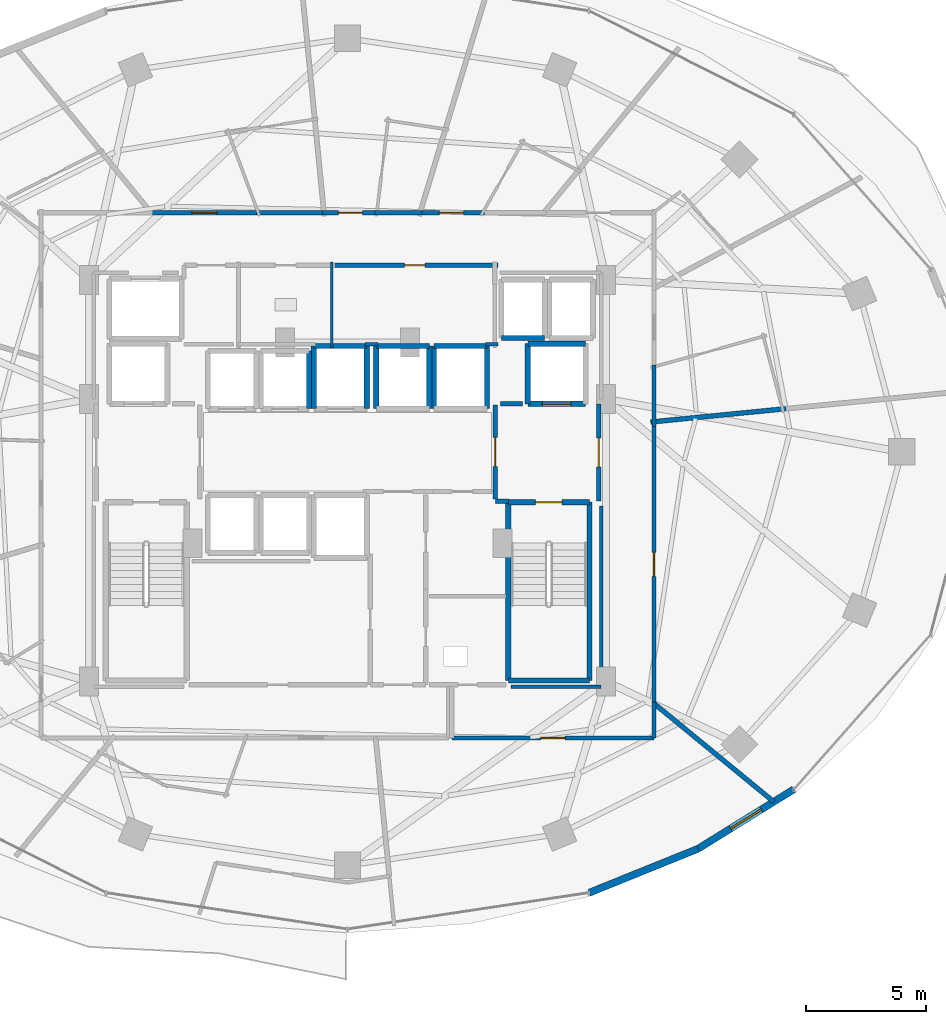
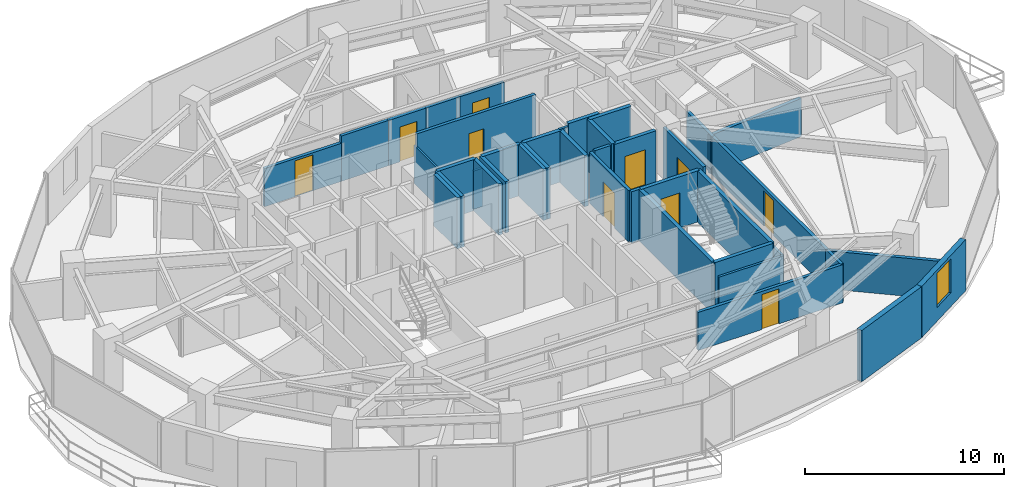
# One storey, part 24 of 29: 41 walls, 10 doors, 1 window, 11 openings.
"""IFC4 building model written with IfcOpenShell, lengths in metres."""

from ifc_helpers import new_model, si_unit, direction, frame, frame_2d, origin, place, context, subcontext, project, spatial, rectangle, extrude, material, layer, layer_set, type_object, element, fill, save


model = new_model("IFC4")

# Units and contexts
model_context = context("Model", 3, precision=1e-05, world=origin(), true_north=direction((0.0, 1.0)))
body_context = subcontext(model_context, "Body", "Model", "MODEL_VIEW")
ifc_project = project(units=[si_unit("LENGTHUNIT", "METRE"), si_unit("AREAUNIT", "SQUARE_METRE"), si_unit("VOLUMEUNIT", "CUBIC_METRE"), si_unit("PLANEANGLEUNIT", "RADIAN"), si_unit("MASSUNIT", "GRAM", prefix="KILO")], contexts=[model_context])

# Site, building, storey
site_placement = place(None, origin())
site = spatial("IfcSite", under=ifc_project, at=site_placement, CompositionType="ELEMENT")
building_placement = place(site_placement, origin())
building = spatial("IfcBuilding", under=site, at=building_placement, Name="Vorneva Point Tower", CompositionType="ELEMENT")
storey_placement = place(building_placement, frame((0.0, 0.0, 120.800048828125)))
storey = spatial("IfcBuildingStorey", under=building, at=storey_placement, Name="L32", CompositionType="ELEMENT", Elevation=120.800048828125)

# Wall, opening, door
ifc_material_1 = material(Name="Concrete B60 (C50/60)", Category="concrete")
ifc_layer_1 = layer(ifc_material_1, 0.5)
ifc_layer_set_1 = layer_set([ifc_layer_1], Name="Concrete B60 (C50/60)")
wall_type_1 = type_object("IfcWallType", Name="WL-CORE-500", PredefinedType="SHEAR", material=ifc_layer_set_1)
wall_1_placement = place(storey_placement, frame((45.5, 28.0, 0.0), z_axis=(0.0, 0.0, 1.0), x_axis=(1.0, 0.0, 0.0)))
wall_1 = element("IfcWall", 1, at=wall_1_placement, inside=storey, type_object=wall_type_1, Name="L32 Lift FFL2 Shaft Wall -Y", PredefinedType="SHEAR", context=body_context, shape_type="SweptSolid", body=[
    extrude(rectangle(XDim=2.39990234375, YDim=0.219970703125, at=frame_2d((1.199951171875, 0.0))), origin(), (0.0, 0.0, 1.0), 3.14990234375),
])
opening_1_placement = place(wall_1_placement, frame((0.60009765625, 0.0, 0.0)))
opening_1 = element("IfcOpeningElement", 2, at=opening_1_placement, cuts=wall_1, Name="Opening LD-02", PredefinedType="OPENING", context=body_context, shape_type="SweptSolid", body=[
    extrude(rectangle(XDim=1.199951171875, YDim=2.199951171875, at=frame_2d((0.60009765625, 1.10009765625))), frame((0.0, 0.125, 0.0), z_axis=(0.0, -1.0, 0.0), x_axis=(1.0, 0.0, 0.0)), (0.0, 0.0, 1.0), 0.249755859375),
])
ifc_material_2 = material(Name="Brushed stainless steel S304", Category="steel")
door_type_1 = type_object("IfcDoorType", Name="LD-FIRE-1200", OperationType="SLIDING_TO_LEFT", PredefinedType="DOOR", material=ifc_material_2)
door_1_placement = place(opening_1_placement, origin())
door_1 = element("IfcDoor", 3, at=door_1_placement, inside=storey, type_object=door_type_1, Name="L32 Lift FFL2 Sliding Landing Door", OperationType="SLIDING_TO_LEFT", OverallHeight=2.199951171875, OverallWidth=1.199951171875, PredefinedType="DOOR", context=body_context, shape_type="SweptSolid", body=[
    extrude(rectangle(XDim=1.199951171875, YDim=2.199951171875, at=frame_2d((0.60009765625, 1.10009765625))), frame((0.0, 0.02490234375, 0.0), z_axis=(0.0, -1.0, 0.0), x_axis=(1.0, 0.0, 0.0)), (0.0, 0.0, 1.0), 0.050048828125),
])
fill(opening_1, door_1)

# Walls
wall_2_placement = place(storey_placement, frame((47.89990234375, 30.5, 0.0), z_axis=(0.0, 0.0, 1.0), x_axis=(-1.0, 0.0, 0.0)))
element("IfcWall", 4, at=wall_2_placement, inside=storey, type_object=wall_type_1, Name="L32 Lift FFL2 Shaft Wall +Y", PredefinedType="SHEAR", context=body_context, shape_type="SweptSolid", body=[
    extrude(rectangle(XDim=2.39990234375, YDim=0.219970703125, at=frame_2d((1.199951171875, 0.0))), origin(), (0.0, 0.0, 1.0), 3.14990234375),
])
wall_3_placement = place(storey_placement, frame((45.5, 30.5, 0.0), z_axis=(0.0, 0.0, 1.0), x_axis=(0.0, -1.0, 0.0)))
element("IfcWall", 5, at=wall_3_placement, inside=storey, type_object=wall_type_1, Name="L32 Lift FFL2 Shaft Wall -X", PredefinedType="SHEAR", context=body_context, shape_type="SweptSolid", body=[
    extrude(rectangle(XDim=2.5, YDim=0.219970703125, at=frame_2d((1.25, 0.0))), origin(), (0.0, 0.0, 1.0), 3.14990234375),
])
ifc_material_3 = material(Name="Precast concrete B50 (C40/50)", Category="concrete")
ifc_layer_2 = layer(ifc_material_3, 0.300048828125)
ifc_layer_set_2 = layer_set([ifc_layer_2], Name="Precast concrete B50 (C40/50)")
wall_type_2 = type_object("IfcWallType", Name="WL-EXT-300", PredefinedType="STANDARD", material=ifc_layer_set_2)
wall_4_placement = place(storey_placement, frame((48.04541015625, 7.660888671875, 0.0), z_axis=(0.0, 0.0, 1.0), x_axis=(0.927122233109, 0.374759075775, 0.0)))
element("IfcWall", 6, at=wall_4_placement, inside=storey, type_object=wall_type_2, Name="L32 Pale-Metal Facade Spandrel Wall 14.1", PredefinedType="STANDARD", context=body_context, shape_type="SweptSolid", body=[
    extrude(rectangle(XDim=4.89501953125, YDim=0.300048828125, at=frame_2d((2.447509765625, 0.0))), origin(), (0.0, 0.0, 1.0), 3.14990234375),
])

# Wall, opening, window
wall_5_placement = place(storey_placement, frame((52.583740234375, 9.495361328125, 0.0), z_axis=(0.0, 0.0, 1.0), x_axis=(0.849684479743, 0.527291461038, 0.0)))
wall_5 = element("IfcWall", 7, at=wall_5_placement, inside=storey, type_object=wall_type_2, Name="L32 Pale-Metal Facade Spandrel Wall 14.2", PredefinedType="STANDARD", context=body_context, shape_type="SweptSolid", body=[
    extrude(rectangle(XDim=4.681396484375, YDim=0.300048828125, at=frame_2d((2.3408203125, 0.0))), origin(), (0.0, 0.0, 1.0), 3.14990234375),
])
opening_2_placement = place(wall_5_placement, frame((1.5908203125, 0.0, 0.85009765625)))
opening_2 = element("IfcOpeningElement", 8, at=opening_2_placement, cuts=wall_5, Name="Opening W-02", PredefinedType="OPENING", context=body_context, shape_type="SweptSolid", body=[
    extrude(rectangle(XDim=1.5, YDim=2.10009765625, at=frame_2d((0.75, 1.050048828125))), frame((0.0, 0.1650390625, 0.0), z_axis=(0.0, -1.0, 0.0), x_axis=(1.0, 0.0, 0.0)), (0.0, 0.0, 1.0), 0.329833984375),
])
ifc_material_4 = material(Name="Double low-e laminated glass IGU", Category="glass")
window_type = type_object("IfcWindowType", Name="WN-HTL-1500", PartitioningType="SINGLE_PANEL", PredefinedType="WINDOW", material=ifc_material_4)
window_placement = place(opening_2_placement, origin())
window = element("IfcWindow", 9, at=window_placement, inside=storey, type_object=window_type, Name="L32 Facade Window 14", OverallHeight=2.10009765625, OverallWidth=1.5, PartitioningType="SINGLE_PANEL", PredefinedType="WINDOW", context=body_context, shape_type="SweptSolid", body=[
    extrude(rectangle(XDim=1.5, YDim=2.10009765625, at=frame_2d((0.75, 1.050048828125))), frame((0.0, 0.030029296875, 0.0), z_axis=(0.0, -1.0, 0.0), x_axis=(1.0, 0.0, 0.0)), (0.0, 0.0, 1.0), 0.06005859375),
])
fill(opening_2, window)

# Walls
ifc_material_5 = material(Name="Fire-rated acoustic gypsum stud partition", Category="gypsum")
ifc_layer_3 = layer(ifc_material_5, 0.110107421875)
ifc_layer_set_3 = layer_set([ifc_layer_3], Name="Fire-rated acoustic gypsum stud partition")
wall_type_3 = type_object("IfcWallType", Name="WL-PART-110", PredefinedType="PARTITIONING", material=ifc_layer_set_3)
wall_6_placement = place(storey_placement, frame((37.35009765625, 30.340087890625, 0.0), z_axis=(0.0, 0.0, 1.0), x_axis=(0.0, 1.0, 0.0)))
element("IfcWall", 10, at=wall_6_placement, inside=storey, type_object=wall_type_3, Name="L32 Interior Partition 017", PredefinedType="PARTITIONING", context=body_context, shape_type="SweptSolid", body=[
    extrude(rectangle(XDim=3.559814453125, YDim=0.110107421875, at=frame_2d((1.77978515625, 0.0))), origin(), (0.0, 0.0, 1.0), 2.342041015625),
])
ifc_layer_4 = layer(ifc_material_5, 0.139892578125)
ifc_layer_set_4 = layer_set([ifc_layer_4], Name="Fire-rated acoustic gypsum stud partition")
wall_type_4 = type_object("IfcWallType", Name="WL-PART-140", PredefinedType="PARTITIONING", material=ifc_layer_set_4)
wall_7_placement = place(storey_placement, frame((38.735107421875, 30.47998046875, 0.0), z_axis=(0.0, 0.0, 1.0), x_axis=(1.0, 0.0, 0.0)))
element("IfcWall", 11, at=wall_7_placement, inside=storey, type_object=wall_type_4, Name="L32 Interior Closure Partition 092", PredefinedType="PARTITIONING", context=body_context, shape_type="SweptSolid", body=[
    extrude(rectangle(XDim=0.52978515625, YDim=0.139892578125, at=frame_2d((0.264892578125, 0.0))), origin(), (0.0, 0.0, 1.0), 2.342041015625),
])
wall_8_placement = place(storey_placement, frame((43.735107421875, 30.47998046875, 0.0), z_axis=(0.0, 0.0, 1.0), x_axis=(1.0, 0.0, 0.0)))
element("IfcWall", 12, at=wall_8_placement, inside=storey, type_object=wall_type_4, Name="L32 Interior Closure Partition 093", PredefinedType="PARTITIONING", context=body_context, shape_type="SweptSolid", body=[
    extrude(rectangle(XDim=0.52490234375, YDim=0.139892578125, at=frame_2d((0.262451171875, 0.0))), origin(), (0.0, 0.0, 1.0), 3.14990234375),
])
wall_9_placement = place(storey_placement, frame((48.550048828125, 23.75390625, 0.0), z_axis=(0.0, 0.0, 1.0), x_axis=(0.0, -1.0, 0.0)))
element("IfcWall", 13, at=wall_9_placement, inside=storey, type_object=wall_type_4, Name="L32 Interior Closure Partition 098", PredefinedType="PARTITIONING", context=body_context, shape_type="SweptSolid", body=[
    extrude(rectangle(XDim=7.513916015625, YDim=0.139892578125, at=frame_2d((3.7568359375, 0.0))), origin(), (0.0, 0.0, 1.0), 2.342041015625),
])
wall_10_placement = place(storey_placement, frame((48.550048828125, 16.239990234375, 0.0), z_axis=(0.0, 0.0, 1.0), x_axis=(-1.0, 0.0, 0.0)))
element("IfcWall", 14, at=wall_10_placement, inside=storey, type_object=wall_type_4, Name="L32 Interior Closure Partition 099", PredefinedType="PARTITIONING", context=body_context, shape_type="SweptSolid", body=[
    extrude(rectangle(XDim=3.7451171875, YDim=0.139892578125, at=frame_2d((1.87255859375, 0.0))), origin(), (0.0, 0.0, 1.0), 2.342041015625),
])

# Wall, opening, door
ifc_material_6 = material(Name="Autoclaved aerated concrete blockwork", Category="masonry")
ifc_layer_5 = layer(ifc_material_6, 0.179931640625)
ifc_layer_set_5 = layer_set([ifc_layer_5], Name="Autoclaved aerated concrete blockwork")
wall_type_5 = type_object("IfcWallType", Name="WL-PART-180", PredefinedType="PARTITIONING", material=ifc_layer_set_5)
wall_11_placement = place(storey_placement, frame((44.14990234375, 27.955078125, 0.0), z_axis=(0.0, 0.0, 1.0), x_axis=(0.0, -1.0, 0.0)))
wall_11 = element("IfcWall", 15, at=wall_11_placement, inside=storey, type_object=wall_type_5, Name="L32 Interior Partition 003", PredefinedType="PARTITIONING", context=body_context, shape_type="SweptSolid", body=[
    extrude(rectangle(XDim=3.91015625, YDim=0.179931640625, at=frame_2d((1.955078125, 0.0))), origin(), (0.0, 0.0, 1.0), 3.14990234375),
])
opening_3_placement = place(wall_11_placement, frame((1.35498046875, 0.0, 0.0)))
opening_3 = element("IfcOpeningElement", 16, at=opening_3_placement, cuts=wall_11, Name="Opening FD-02", PredefinedType="OPENING", context=body_context, shape_type="SweptSolid", body=[
    extrude(rectangle(XDim=1.199951171875, YDim=2.14990234375, at=frame_2d((0.60009765625, 1.074951171875))), frame((0.0, 0.10498046875, 0.0), z_axis=(0.0, -1.0, 0.0), x_axis=(1.0, 0.0, 0.0)), (0.0, 0.0, 1.0), 0.209716796875),
])
ifc_material_7 = material(Name="Fire-rated powder-coated steel", Category="steel")
door_type_2 = type_object("IfcDoorType", Name="DR-FFL-1200", OperationType="NOTDEFINED", PredefinedType="DOOR", material=ifc_material_7)
door_2_placement = place(opening_3_placement, origin())
door_2 = element("IfcDoor", 17, at=door_2_placement, inside=storey, type_object=door_type_2, Name="L32 Door East Firefighting Lobby / Central Lift Lobby", OperationType="SINGLE_SWING_LEFT", OverallHeight=2.14990234375, OverallWidth=1.199951171875, PredefinedType="DOOR", context=body_context, shape_type="SweptSolid", body=[
    extrude(rectangle(XDim=1.199951171875, YDim=2.14990234375, at=frame_2d((0.60009765625, 1.074951171875))), frame((0.0, 0.02490234375, 0.0), z_axis=(0.0, -1.0, 0.0), x_axis=(1.0, 0.0, 0.0)), (0.0, 0.0, 1.0), 0.050048828125),
])
fill(opening_3, door_2)

# Wall
wall_12_placement = place(storey_placement, frame((44.14990234375, 23.949951171875, 0.0), z_axis=(0.0, 0.0, 1.0), x_axis=(1.0, 0.0, 0.0)))
element("IfcWall", 18, at=wall_12_placement, inside=storey, type_object=wall_type_5, Name="L32 Interior Partition 004", PredefinedType="PARTITIONING", context=body_context, shape_type="SweptSolid", body=[
    extrude(rectangle(XDim=0.5400390625, YDim=0.179931640625, at=frame_2d((0.27001953125, 0.0))), origin(), (0.0, 0.0, 1.0), 3.14990234375),
])

# Wall, opening, door
wall_13_placement = place(storey_placement, frame((48.449951171875, 23.949951171875, 0.0), z_axis=(0.0, 0.0, 1.0), x_axis=(0.0, 1.0, 0.0)))
wall_13 = element("IfcWall", 19, at=wall_13_placement, inside=storey, type_object=wall_type_5, Name="L32 Interior Partition 005", PredefinedType="PARTITIONING", context=body_context, shape_type="SweptSolid", body=[
    extrude(rectangle(XDim=4.050048828125, YDim=0.179931640625, at=frame_2d((2.02490234375, 0.0))), origin(), (0.0, 0.0, 1.0), 3.14990234375),
])
opening_4_placement = place(wall_13_placement, frame((1.425048828125, 0.0, 0.0)))
opening_4 = element("IfcOpeningElement", 20, at=opening_4_placement, cuts=wall_13, Name="Opening FD-02", PredefinedType="OPENING", context=body_context, shape_type="SweptSolid", body=[
    extrude(rectangle(XDim=1.199951171875, YDim=2.14990234375, at=frame_2d((0.60009765625, 1.074951171875))), frame((0.0, 0.10498046875, 0.0), z_axis=(0.0, -1.0, 0.0), x_axis=(1.0, 0.0, 0.0)), (0.0, 0.0, 1.0), 0.209716796875),
])
door_3_placement = place(opening_4_placement, origin())
door_3 = element("IfcDoor", 21, at=door_3_placement, inside=storey, type_object=door_type_2, Name="L32 Door East Firefighting Lobby / L32 Circulation Corridor", OperationType="SINGLE_SWING_LEFT", OverallHeight=2.14990234375, OverallWidth=1.199951171875, PredefinedType="DOOR", context=body_context, shape_type="SweptSolid", body=[
    extrude(rectangle(XDim=1.199951171875, YDim=2.14990234375, at=frame_2d((0.60009765625, 1.074951171875))), frame((0.0, 0.02490234375, 0.0), z_axis=(0.0, -1.0, 0.0), x_axis=(1.0, 0.0, 0.0)), (0.0, 0.0, 1.0), 0.050048828125),
])
fill(opening_4, door_3)

wall_14_placement = place(storey_placement, frame((44.260009765625, 33.760009765625, 0.0), z_axis=(0.0, 0.0, 1.0), x_axis=(-1.0, 0.0, 0.0)))
wall_14 = element("IfcWall", 22, at=wall_14_placement, inside=storey, type_object=wall_type_5, Name="L32 Interior Partition 019", PredefinedType="PARTITIONING", context=body_context, shape_type="SweptSolid", body=[
    extrude(rectangle(XDim=6.909912109375, YDim=0.179931640625, at=frame_2d((3.455078125, 0.0))), origin(), (0.0, 0.0, 1.0), 3.14990234375),
])
opening_5_placement = place(wall_14_placement, frame((3.030029296875, 0.0, 0.0)))
opening_5 = element("IfcOpeningElement", 23, at=opening_5_placement, cuts=wall_14, Name="Opening ID-02", PredefinedType="OPENING", context=body_context, shape_type="SweptSolid", body=[
    extrude(rectangle(XDim=0.85009765625, YDim=2.10009765625, at=frame_2d((0.425048828125, 1.050048828125))), frame((0.0, 0.10498046875, 0.0), z_axis=(0.0, -1.0, 0.0), x_axis=(1.0, 0.0, 0.0)), (0.0, 0.0, 1.0), 0.209716796875),
])
ifc_material_8 = material(Name="Engineered oak fire-rated door leaf", Category="wood")
door_type_3 = type_object("IfcDoorType", Name="DR-BATH-850", OperationType="NOTDEFINED", PredefinedType="DOOR", material=ifc_material_8)
door_4_placement = place(opening_5_placement, origin())
door_4 = element("IfcDoor", 24, at=door_4_placement, inside=storey, type_object=door_type_3, Name="L32 Door Public Restroom / L32 Circulation Corridor", OperationType="SINGLE_SWING_RIGHT", OverallHeight=2.10009765625, OverallWidth=0.85009765625, PredefinedType="DOOR", context=body_context, shape_type="SweptSolid", body=[
    extrude(rectangle(XDim=0.85009765625, YDim=2.10009765625, at=frame_2d((0.425048828125, 1.050048828125))), frame((0.0, 0.02490234375, 0.0), z_axis=(0.0, -1.0, 0.0), x_axis=(1.0, 0.0, 0.0)), (0.0, 0.0, 1.0), 0.050048828125),
])
fill(opening_5, door_4)

# Wall
wall_15_placement = place(storey_placement, frame((50.75, 27.055908203125, 0.0), z_axis=(0.0, 0.0, 1.0), x_axis=(0.0, 1.0, 0.0)))
element("IfcWall", 25, at=wall_15_placement, inside=storey, type_object=wall_type_5, Name="L32 Interior Partition 023", PredefinedType="PARTITIONING", context=body_context, shape_type="SweptSolid", body=[
    extrude(rectangle(XDim=2.566162109375, YDim=0.179931640625, at=frame_2d((1.283203125, 0.0))), origin(), (0.0, 0.0, 1.0), 2.342041015625),
])

# Wall, opening, door
wall_16_placement = place(storey_placement, frame((43.693115234375, 35.949951171875, 0.0), z_axis=(0.0, 0.0, 1.0), x_axis=(-1.0, 0.0, 0.0)))
wall_16 = element("IfcWall", 26, at=wall_16_placement, inside=storey, type_object=wall_type_5, Name="L32 Interior Partition 026", PredefinedType="PARTITIONING", context=body_context, shape_type="SweptSolid", body=[
    extrude(rectangle(XDim=2.735107421875, YDim=0.179931640625, at=frame_2d((1.36767578125, 0.0))), origin(), (0.0, 0.0, 1.0), 2.783935546875),
])
opening_6_placement = place(wall_16_placement, frame((0.867431640625, 0.0, 0.0)))
opening_6 = element("IfcOpeningElement", 27, at=opening_6_placement, cuts=wall_16, Name="Opening UD-01", PredefinedType="OPENING", context=body_context, shape_type="SweptSolid", body=[
    extrude(rectangle(XDim=1.0, YDim=2.14990234375, at=frame_2d((0.5, 1.074951171875))), frame((0.0, 0.10498046875, 0.0), z_axis=(0.0, -1.0, 0.0), x_axis=(1.0, 0.0, 0.0)), (0.0, 0.0, 1.0), 0.209716796875),
])
door_type_4 = type_object("IfcDoorType", Name="DR-UNIT-1000", OperationType="NOTDEFINED", PredefinedType="DOOR", material=ifc_material_8)
door_5_placement = place(opening_6_placement, origin())
door_5 = element("IfcDoor", 28, at=door_5_placement, inside=storey, type_object=door_type_4, Name="L32 Door L32 Circulation Corridor / Twin Guest Room L32-03", OperationType="SINGLE_SWING_RIGHT", OverallHeight=2.14990234375, OverallWidth=1.0, PredefinedType="DOOR", context=body_context, shape_type="SweptSolid", body=[
    extrude(rectangle(XDim=1.0, YDim=2.14990234375, at=frame_2d((0.5, 1.074951171875))), frame((0.0, 0.02490234375, 0.0), z_axis=(0.0, -1.0, 0.0), x_axis=(1.0, 0.0, 0.0)), (0.0, 0.0, 1.0), 0.050048828125),
])
fill(opening_6, door_5)

wall_17_placement = place(storey_placement, frame((39.277099609375, 35.949951171875, 0.0), z_axis=(0.0, 0.0, 1.0), x_axis=(-1.0, 0.0, 0.0)))
wall_17 = element("IfcWall", 29, at=wall_17_placement, inside=storey, type_object=wall_type_5, Name="L32 Interior Partition 028", PredefinedType="PARTITIONING", context=body_context, shape_type="SweptSolid", body=[
    extrude(rectangle(XDim=2.317138671875, YDim=0.179931640625, at=frame_2d((1.15869140625, 0.0))), origin(), (0.0, 0.0, 1.0), 2.783935546875),
])
opening_7_placement = place(wall_17_placement, frame((0.658447265625, 0.0, 0.0)))
opening_7 = element("IfcOpeningElement", 30, at=opening_7_placement, cuts=wall_17, Name="Opening UD-01", PredefinedType="OPENING", context=body_context, shape_type="SweptSolid", body=[
    extrude(rectangle(XDim=1.0, YDim=2.14990234375, at=frame_2d((0.5, 1.074951171875))), frame((0.0, 0.10498046875, 0.0), z_axis=(0.0, -1.0, 0.0), x_axis=(1.0, 0.0, 0.0)), (0.0, 0.0, 1.0), 0.209716796875),
])
door_6_placement = place(opening_7_placement, origin())
door_6 = element("IfcDoor", 31, at=door_6_placement, inside=storey, type_object=door_type_4, Name="L32 Door L32 Circulation Corridor / Deluxe Guest Room L32-04", OperationType="SINGLE_SWING_LEFT", OverallHeight=2.14990234375, OverallWidth=1.0, PredefinedType="DOOR", context=body_context, shape_type="SweptSolid", body=[
    extrude(rectangle(XDim=1.0, YDim=2.14990234375, at=frame_2d((0.5, 1.074951171875))), frame((0.0, 0.02490234375, 0.0), z_axis=(0.0, -1.0, 0.0), x_axis=(1.0, 0.0, 0.0)), (0.0, 0.0, 1.0), 0.050048828125),
])
fill(opening_7, door_6)

# Wall
wall_18_placement = place(storey_placement, frame((41.097900390625, 35.949951171875, 0.0), z_axis=(0.0, 0.0, 1.0), x_axis=(-1.0, 0.0, 0.0)))
element("IfcWall", 32, at=wall_18_placement, inside=storey, type_object=wall_type_5, Name="L32 Interior Partition 029", PredefinedType="PARTITIONING", context=body_context, shape_type="SweptSolid", body=[
    extrude(rectangle(XDim=1.9609375, YDim=0.179931640625, at=frame_2d((0.98046875, 0.0))), origin(), (0.0, 0.0, 1.0), 2.783935546875),
])

# Wall, opening, door
wall_19_placement = place(storey_placement, frame((34.344970703125, 35.949951171875, 0.0), z_axis=(0.0, 0.0, 1.0), x_axis=(-1.0, 0.0, 0.0)))
wall_19 = element("IfcWall", 33, at=wall_19_placement, inside=storey, type_object=wall_type_5, Name="L32 Interior Partition 030", PredefinedType="PARTITIONING", context=body_context, shape_type="SweptSolid", body=[
    extrude(rectangle(XDim=4.5888671875, YDim=0.179931640625, at=frame_2d((2.29443359375, 0.0))), origin(), (0.0, 0.0, 1.0), 2.342041015625),
])
opening_8_placement = place(wall_19_placement, frame((1.76953125, 0.0, 0.0)))
opening_8 = element("IfcOpeningElement", 34, at=opening_8_placement, cuts=wall_19, Name="Opening UD-02", PredefinedType="OPENING", context=body_context, shape_type="SweptSolid", body=[
    extrude(rectangle(XDim=1.050048828125, YDim=2.199951171875, at=frame_2d((0.52490234375, 1.10009765625))), frame((0.0, 0.10498046875, 0.0), z_axis=(0.0, -1.0, 0.0), x_axis=(1.0, 0.0, 0.0)), (0.0, 0.0, 1.0), 0.209716796875),
])
door_type_5 = type_object("IfcDoorType", Name="DR-SUITE-1050", OperationType="NOTDEFINED", PredefinedType="DOOR", material=ifc_material_8)
door_7_placement = place(opening_8_placement, origin())
door_7 = element("IfcDoor", 35, at=door_7_placement, inside=storey, type_object=door_type_5, Name="L32 Door L32 Circulation Corridor / Executive Suite L32-05", OperationType="SINGLE_SWING_RIGHT", OverallHeight=2.199951171875, OverallWidth=1.050048828125, PredefinedType="DOOR", context=body_context, shape_type="SweptSolid", body=[
    extrude(rectangle(XDim=1.050048828125, YDim=2.199951171875, at=frame_2d((0.52490234375, 1.10009765625))), frame((0.0, 0.02490234375, 0.0), z_axis=(0.0, -1.0, 0.0), x_axis=(1.0, 0.0, 0.0)), (0.0, 0.0, 1.0), 0.050048828125),
])
fill(opening_8, door_7)

# Wall
wall_20_placement = place(storey_placement, frame((37.10009765625, 35.949951171875, 0.0), z_axis=(0.0, 0.0, 1.0), x_axis=(-1.0, 0.0, 0.0)))
element("IfcWall", 36, at=wall_20_placement, inside=storey, type_object=wall_type_5, Name="L32 Interior Partition 031", PredefinedType="PARTITIONING", context=body_context, shape_type="SweptSolid", body=[
    extrude(rectangle(XDim=2.89501953125, YDim=0.179931640625, at=frame_2d((1.447509765625, 0.0))), origin(), (0.0, 0.0, 1.0), 2.783935546875),
])

# Wall, opening, door
wall_21_placement = place(storey_placement, frame((42.340087890625, 14.10009765625, 0.0), z_axis=(0.0, 0.0, 1.0), x_axis=(1.0, 0.0, 0.0)))
wall_21 = element("IfcWall", 37, at=wall_21_placement, inside=storey, type_object=wall_type_5, Name="L32 Interior Partition 043", PredefinedType="PARTITIONING", context=body_context, shape_type="SweptSolid", body=[
    extrude(rectangle(XDim=8.409912109375, YDim=0.179931640625, at=frame_2d((4.205078125, 0.0))), origin(), (0.0, 0.0, 1.0), 2.342041015625),
])
opening_9_placement = place(wall_21_placement, frame((3.705078125, 0.0, 0.0)))
opening_9 = element("IfcOpeningElement", 38, at=opening_9_placement, cuts=wall_21, Name="Opening UD-01", PredefinedType="OPENING", context=body_context, shape_type="SweptSolid", body=[
    extrude(rectangle(XDim=1.0, YDim=2.14990234375, at=frame_2d((0.5, 1.074951171875))), frame((0.0, 0.10498046875, 0.0), z_axis=(0.0, -1.0, 0.0), x_axis=(1.0, 0.0, 0.0)), (0.0, 0.0, 1.0), 0.209716796875),
])
door_8_placement = place(opening_9_placement, origin())
door_8 = element("IfcDoor", 39, at=door_8_placement, inside=storey, type_object=door_type_4, Name="L32 Door L32 Circulation Corridor / Executive Meeting Room L32-10", OperationType="SINGLE_SWING_LEFT", OverallHeight=2.14990234375, OverallWidth=1.0, PredefinedType="DOOR", context=body_context, shape_type="SweptSolid", body=[
    extrude(rectangle(XDim=1.0, YDim=2.14990234375, at=frame_2d((0.5, 1.074951171875))), frame((0.0, 0.02490234375, 0.0), z_axis=(0.0, -1.0, 0.0), x_axis=(1.0, 0.0, 0.0)), (0.0, 0.0, 1.0), 0.050048828125),
])
fill(opening_9, door_8)

# Wall
wall_22_placement = place(storey_placement, frame((50.75, 14.10009765625, 0.0), z_axis=(0.0, 0.0, 1.0), x_axis=(0.0, 1.0, 0.0)))
element("IfcWall", 40, at=wall_22_placement, inside=storey, type_object=wall_type_5, Name="L32 Interior Partition 044", PredefinedType="PARTITIONING", context=body_context, shape_type="SweptSolid", body=[
    extrude(rectangle(XDim=1.495849609375, YDim=0.179931640625, at=frame_2d((0.748046875, 0.0))), origin(), (0.0, 0.0, 1.0), 2.342041015625),
])

# Wall, opening, door
wall_23_placement = place(storey_placement, frame((50.75, 15.595947265625, 0.0), z_axis=(0.0, 0.0, 1.0), x_axis=(0.0, 1.0, 0.0)))
wall_23 = element("IfcWall", 41, at=wall_23_placement, inside=storey, type_object=wall_type_5, Name="L32 Interior Partition 047", PredefinedType="PARTITIONING", context=body_context, shape_type="SweptSolid", body=[
    extrude(rectangle(XDim=11.4599609375, YDim=0.179931640625, at=frame_2d((5.72998046875, 0.0))), origin(), (0.0, 0.0, 1.0), 2.342041015625),
])
opening_10_placement = place(wall_23_placement, frame((5.22998046875, 0.0, 0.0)))
opening_10 = element("IfcOpeningElement", 42, at=opening_10_placement, cuts=wall_23, Name="Opening UD-01", PredefinedType="OPENING", context=body_context, shape_type="SweptSolid", body=[
    extrude(rectangle(XDim=1.0, YDim=2.14990234375, at=frame_2d((0.5, 1.074951171875))), frame((0.0, 0.10498046875, 0.0), z_axis=(0.0, -1.0, 0.0), x_axis=(1.0, 0.0, 0.0)), (0.0, 0.0, 1.0), 0.209716796875),
])
door_9_placement = place(opening_10_placement, origin())
door_9 = element("IfcDoor", 43, at=door_9_placement, inside=storey, type_object=door_type_4, Name="L32 Door L32 Circulation Corridor / Hotel Club Lounge L32-11", OperationType="SINGLE_SWING_RIGHT", OverallHeight=2.14990234375, OverallWidth=1.0, PredefinedType="DOOR", context=body_context, shape_type="SweptSolid", body=[
    extrude(rectangle(XDim=1.0, YDim=2.14990234375, at=frame_2d((0.5, 1.074951171875))), frame((0.0, 0.02490234375, 0.0), z_axis=(0.0, -1.0, 0.0), x_axis=(1.0, 0.0, 0.0)), (0.0, 0.0, 1.0), 0.050048828125),
])
fill(opening_10, door_9)

# Walls
wall_24_placement = place(storey_placement, frame((45.280029296875, 28.0, 0.0), z_axis=(0.0, 0.0, 1.0), x_axis=(-1.0, 0.0, 0.0)))
element("IfcWall", 44, at=wall_24_placement, inside=storey, type_object=wall_type_5, Name="L32 Interior Closure Partition 089", PredefinedType="PARTITIONING", context=body_context, shape_type="SweptSolid", body=[
    extrude(rectangle(XDim=0.9150390625, YDim=0.179931640625, at=frame_2d((0.45751953125, 0.0))), origin(), (0.0, 0.0, 1.0), 3.14990234375),
])
ifc_layer_6 = layer(ifc_material_6, 0.199951171875)
ifc_layer_set_6 = layer_set([ifc_layer_6], Name="Autoclaved aerated concrete blockwork")
wall_type_6 = type_object("IfcWallType", Name="WL-PART-200", PredefinedType="PARTITIONING", material=ifc_layer_set_6)
wall_25_placement = place(storey_placement, frame((50.610595703125, 27.2421875, 0.0), z_axis=(0.0, 0.0, 1.0), x_axis=(0.995185043486, 0.098013923607, 0.0)))
element("IfcWall", 45, at=wall_25_placement, inside=storey, type_object=wall_type_6, Name="L32 Interior Partition 052", PredefinedType="PARTITIONING", context=body_context, shape_type="SweptSolid", body=[
    extrude(rectangle(XDim=5.646728515625, YDim=0.199951171875, at=frame_2d((2.8232421875, 0.0))), origin(), (0.0, 0.0, 1.0), 2.342041015625),
])
wall_26_placement = place(storey_placement, frame((55.72802734375, 11.450927734375, 0.0), z_axis=(0.0, 0.0, 1.0), x_axis=(-0.7730409537, 0.634356117573, 0.0)))
element("IfcWall", 46, at=wall_26_placement, inside=storey, type_object=wall_type_6, Name="L32 Interior Partition 087", PredefinedType="PARTITIONING", context=body_context, shape_type="SweptSolid", body=[
    extrude(rectangle(XDim=6.439453125, YDim=0.199951171875, at=frame_2d((3.2197265625, 0.0))), origin(), (0.0, 0.0, 1.0), 2.342041015625),
])

# Wall, opening, door
ifc_material_9 = material(Name="Concrete B50 (C40/50)", Category="concrete")
ifc_layer_7 = layer(ifc_material_9, 0.219970703125)
ifc_layer_set_7 = layer_set([ifc_layer_7], Name="Concrete B50 (C40/50)")
wall_type_7 = type_object("IfcWallType", Name="WL-SHFT-220", PredefinedType="SOLIDWALL", material=ifc_layer_set_7)
wall_27_placement = place(storey_placement, frame((44.68994140625, 23.909912109375, 0.0), z_axis=(0.0, 0.0, 1.0), x_axis=(1.0, 0.0, 0.0)))
wall_27 = element("IfcWall", 47, at=wall_27_placement, inside=storey, type_object=wall_type_7, Name="L32 Exit Stair ST2 Shaft Wall near", PredefinedType="SOLIDWALL", context=body_context, shape_type="SweptSolid", body=[
    extrude(rectangle(XDim=3.3701171875, YDim=0.219970703125, at=frame_2d((1.68505859375, 0.0))), origin(), (0.0, 0.0, 1.0), 3.14990234375),
])
opening_11_placement = place(wall_27_placement, frame((1.135009765625, 0.0, 0.0)))
opening_11 = element("IfcOpeningElement", 48, at=opening_11_placement, cuts=wall_27, Name="Opening FD-01", PredefinedType="OPENING", context=body_context, shape_type="SweptSolid", body=[
    extrude(rectangle(XDim=1.10009765625, YDim=2.14990234375, at=frame_2d((0.550048828125, 1.074951171875))), frame((0.0, 0.125, 0.0), z_axis=(0.0, -1.0, 0.0), x_axis=(1.0, 0.0, 0.0)), (0.0, 0.0, 1.0), 0.249755859375),
])
door_type_6 = type_object("IfcDoorType", Name="DR-STAIR-1100", OperationType="NOTDEFINED", PredefinedType="DOOR", material=ifc_material_7)
door_10_placement = place(opening_11_placement, origin())
door_10 = element("IfcDoor", 49, at=door_10_placement, inside=storey, type_object=door_type_6, Name="L32 Exit Stair ST2 Fire Door", OperationType="SINGLE_SWING_LEFT", OverallHeight=2.14990234375, OverallWidth=1.10009765625, PredefinedType="DOOR", context=body_context, shape_type="SweptSolid", body=[
    extrude(rectangle(XDim=1.10009765625, YDim=2.14990234375, at=frame_2d((0.550048828125, 1.074951171875))), frame((0.0, 0.02490234375, 0.0), z_axis=(0.0, -1.0, 0.0), x_axis=(1.0, 0.0, 0.0)), (0.0, 0.0, 1.0), 0.050048828125),
])
fill(opening_11, door_10)

# Walls
wall_28_placement = place(storey_placement, frame((48.06005859375, 23.909912109375, 0.0), z_axis=(0.0, 0.0, 1.0), x_axis=(0.0, -1.0, 0.0)))
element("IfcWall", 50, at=wall_28_placement, inside=storey, type_object=wall_type_7, Name="L32 Exit Stair ST2 Shaft Wall right", PredefinedType="SOLIDWALL", context=body_context, shape_type="SweptSolid", body=[
    extrude(rectangle(XDim=7.419921875, YDim=0.219970703125, at=frame_2d((3.7099609375, 0.0))), origin(), (0.0, 0.0, 1.0), 3.14990234375),
])
wall_29_placement = place(storey_placement, frame((48.06005859375, 16.489990234375, 0.0), z_axis=(0.0, 0.0, 1.0), x_axis=(-1.0, 0.0, 0.0)))
element("IfcWall", 51, at=wall_29_placement, inside=storey, type_object=wall_type_7, Name="L32 Exit Stair ST2 Shaft Wall far", PredefinedType="SOLIDWALL", context=body_context, shape_type="SweptSolid", body=[
    extrude(rectangle(XDim=3.3701171875, YDim=0.219970703125, at=frame_2d((1.68505859375, 0.0))), origin(), (0.0, 0.0, 1.0), 3.14990234375),
])
wall_30_placement = place(storey_placement, frame((44.68994140625, 16.489990234375, 0.0), z_axis=(0.0, 0.0, 1.0), x_axis=(0.0, 1.0, 0.0)))
element("IfcWall", 52, at=wall_30_placement, inside=storey, type_object=wall_type_7, Name="L32 Exit Stair ST2 Shaft Wall left", PredefinedType="SOLIDWALL", context=body_context, shape_type="SweptSolid", body=[
    extrude(rectangle(XDim=7.419921875, YDim=0.219970703125, at=frame_2d((3.7099609375, 0.0))), origin(), (0.0, 0.0, 1.0), 3.14990234375),
])
wall_31_placement = place(storey_placement, frame((36.39990234375, 27.800048828125, 0.0), z_axis=(0.0, 0.0, 1.0), x_axis=(0.0, 1.0, 0.0)))
element("IfcWall", 53, at=wall_31_placement, inside=storey, type_object=wall_type_7, Name="L32 Lift PL2 Shaft Wall +X", PredefinedType="SOLIDWALL", context=body_context, shape_type="SweptSolid", body=[
    extrude(rectangle(XDim=2.39990234375, YDim=0.219970703125, at=frame_2d((1.199951171875, 0.0))), origin(), (0.0, 0.0, 1.0), 3.14990234375),
])
wall_32_placement = place(storey_placement, frame((38.800048828125, 27.800048828125, 0.0), z_axis=(0.0, 0.0, 1.0), x_axis=(0.0, 1.0, 0.0)))
element("IfcWall", 54, at=wall_32_placement, inside=storey, type_object=wall_type_7, Name="L32 Lift PL3 Shaft Wall +X", PredefinedType="SOLIDWALL", context=body_context, shape_type="SweptSolid", body=[
    extrude(rectangle(XDim=2.599853515625, YDim=0.219970703125, at=frame_2d((1.2998046875, 0.0))), origin(), (0.0, 0.0, 1.0), 3.14990234375),
])
wall_33_placement = place(storey_placement, frame((38.800048828125, 30.39990234375, 0.0), z_axis=(0.0, 0.0, 1.0), x_axis=(-1.0, 0.0, 0.0)))
element("IfcWall", 55, at=wall_33_placement, inside=storey, type_object=wall_type_7, Name="L32 Lift PL3 Shaft Wall +Y", PredefinedType="SOLIDWALL", context=body_context, shape_type="SweptSolid", body=[
    extrude(rectangle(XDim=2.199951171875, YDim=0.219970703125, at=frame_2d((1.10009765625, 0.0))), origin(), (0.0, 0.0, 1.0), 3.14990234375),
])
for number, where, z_axis, x_axis, name in (
    (56, (36.60009765625, 30.39990234375, 0.0), (0.0, 0.0, 1.0), (0.0, -1.0, 0.0), "L32 Lift PL3 Shaft Wall -X"),
    (57, (41.39990234375, 27.800048828125, 0.0), (0.0, 0.0, 1.0), (0.0, 1.0, 0.0), "L32 Lift PL7 Shaft Wall +X"),
):
    element("IfcWall", number, at=place(storey_placement, frame(where, z_axis=z_axis, x_axis=x_axis)), inside=storey, type_object=wall_type_7, Name=name, PredefinedType="SOLIDWALL", context=body_context, shape_type="SweptSolid", body=[
        extrude(rectangle(XDim=2.599853515625, YDim=0.219970703125, at=frame_2d((1.2998046875, 0.0))), origin(), (0.0, 0.0, 1.0), 3.14990234375),
    ])
wall_34_placement = place(storey_placement, frame((41.39990234375, 30.39990234375, 0.0), z_axis=(0.0, 0.0, 1.0), x_axis=(-1.0, 0.0, 0.0)))
element("IfcWall", 58, at=wall_34_placement, inside=storey, type_object=wall_type_7, Name="L32 Lift PL7 Shaft Wall +Y", PredefinedType="SOLIDWALL", context=body_context, shape_type="SweptSolid", body=[
    extrude(rectangle(XDim=2.199951171875, YDim=0.219970703125, at=frame_2d((1.10009765625, 0.0))), origin(), (0.0, 0.0, 1.0), 3.14990234375),
])
for number, where, z_axis, x_axis, name in (
    (59, (39.199951171875, 30.39990234375, 0.0), (0.0, 0.0, 1.0), (0.0, -1.0, 0.0), "L32 Lift PL7 Shaft Wall -X"),
    (60, (43.800048828125, 27.800048828125, 0.0), (0.0, 0.0, 1.0), (0.0, 1.0, 0.0), "L32 Lift PL8 Shaft Wall +X"),
):
    element("IfcWall", number, at=place(storey_placement, frame(where, z_axis=z_axis, x_axis=x_axis)), inside=storey, type_object=wall_type_7, Name=name, PredefinedType="SOLIDWALL", context=body_context, shape_type="SweptSolid", body=[
        extrude(rectangle(XDim=2.599853515625, YDim=0.219970703125, at=frame_2d((1.2998046875, 0.0))), origin(), (0.0, 0.0, 1.0), 3.14990234375),
    ])
wall_35_placement = place(storey_placement, frame((43.800048828125, 30.39990234375, 0.0), z_axis=(0.0, 0.0, 1.0), x_axis=(-1.0, 0.0, 0.0)))
element("IfcWall", 61, at=wall_35_placement, inside=storey, type_object=wall_type_7, Name="L32 Lift PL8 Shaft Wall +Y", PredefinedType="SOLIDWALL", context=body_context, shape_type="SweptSolid", body=[
    extrude(rectangle(XDim=2.199951171875, YDim=0.219970703125, at=frame_2d((1.10009765625, 0.0))), origin(), (0.0, 0.0, 1.0), 3.14990234375),
])
wall_36_placement = place(storey_placement, frame((41.60009765625, 30.39990234375, 0.0), z_axis=(0.0, 0.0, 1.0), x_axis=(0.0, -1.0, 0.0)))
element("IfcWall", 62, at=wall_36_placement, inside=storey, type_object=wall_type_7, Name="L32 Lift PL8 Shaft Wall -X", PredefinedType="SOLIDWALL", context=body_context, shape_type="SweptSolid", body=[
    extrude(rectangle(XDim=2.599853515625, YDim=0.219970703125, at=frame_2d((1.2998046875, 0.0))), origin(), (0.0, 0.0, 1.0), 3.14990234375),
])
wall_37_placement = place(storey_placement, frame((44.39990234375, 30.739990234375, 0.0), z_axis=(0.0, 0.0, 1.0), x_axis=(1.0, 0.0, 0.0)))
element("IfcWall", 63, at=wall_37_placement, inside=storey, type_object=wall_type_7, Name="L32 Lift EX1 Shaft Wall -Y", PredefinedType="SOLIDWALL", context=body_context, shape_type="SweptSolid", body=[
    extrude(rectangle(XDim=1.800048828125, YDim=0.219970703125, at=frame_2d((0.89990234375, 0.0))), origin(), (0.0, 0.0, 1.0), 3.14990234375),
])

save(model, "model.ifc")
